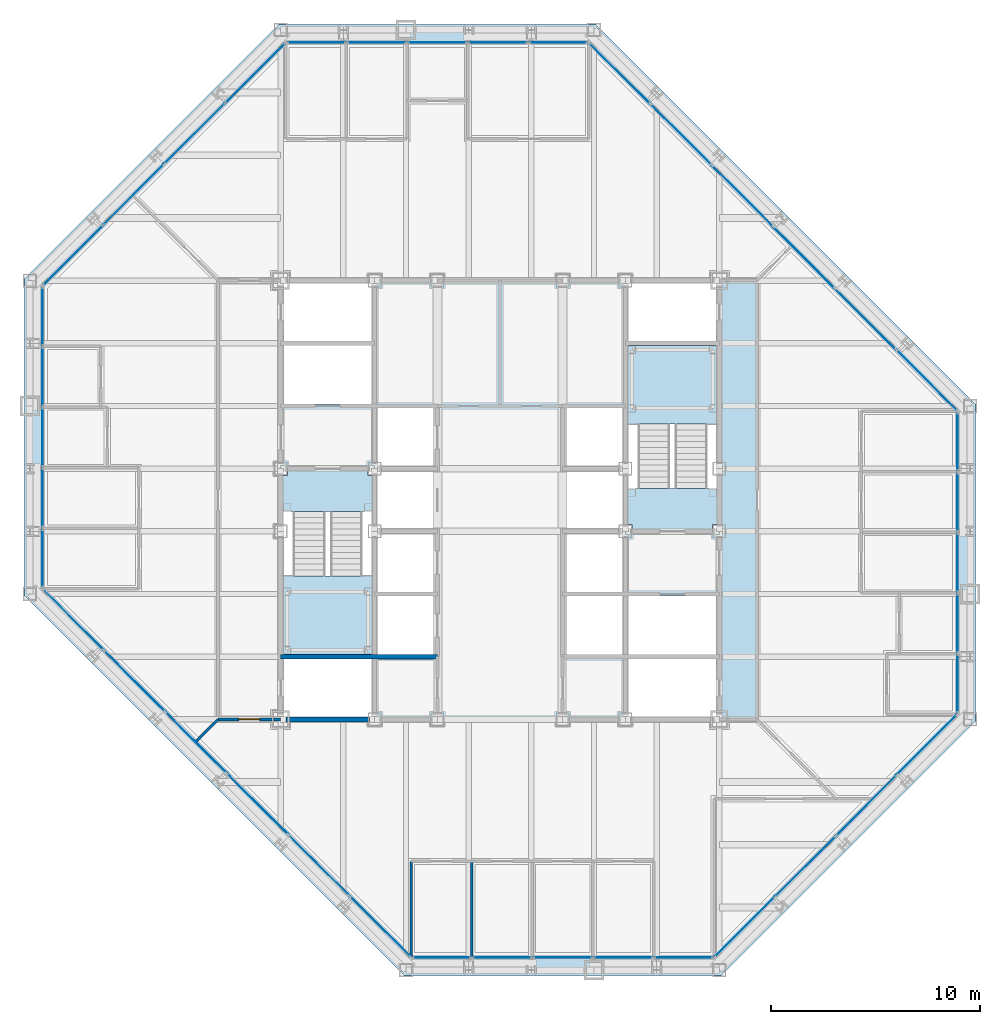
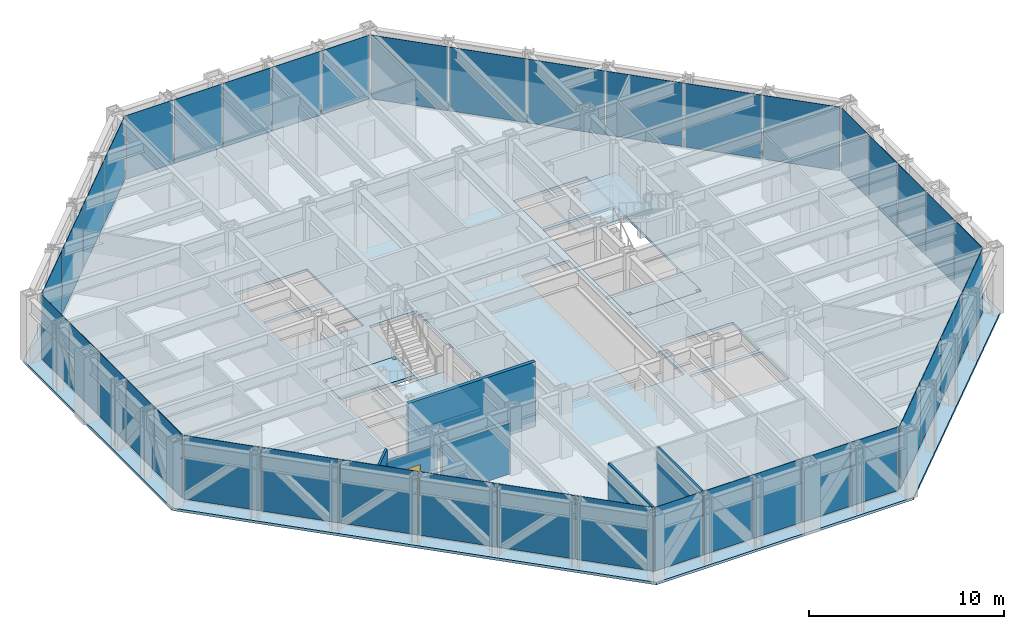
# One storey, part 9 of 15: 40 plates, 6 walls, 5 slabs, 1 door, 1 opening, 10 elements without a shape of their own.
"""IFC4 building model written with IfcOpenShell, lengths in metres."""

import ifcopenshell
import ifcopenshell.guid

model = None  # the IFC model being written
_history = None  # IfcOwnerHistory: only IFC2X3 demands one
_inside = {}  # id of a spatial element -> (the spatial element, [elements in it])
_under = {}  # id of a project, library or spatial element -> (it, [spatial elements below it])
_declared = {}  # id of a project -> (the project, [libraries it declares])
_typed = {}  # id of a type object -> (the type object, [elements of that type])
_made_of = {}  # id of a material, layer set ... -> (it, [elements and type objects made of it])


def new_model(schema):
    """Start an empty IFC model of exactly this schema.

    Asked for "IFC4X3", IfcOpenShell would pick the latest addendum, in which some entities
    have other attributes; the version numbers below select the first issue.
    IFC2X3 requires an IfcOwnerHistory on every rooted entity: one is made here for all.
    """
    global model, _history
    if schema == "IFC4X3":
        model = ifcopenshell.file(schema_version=(4, 3, 0, 0))
    else:
        model = ifcopenshell.file(schema=schema)
    _inside.clear()
    _under.clear()
    _declared.clear()
    _typed.clear()
    _made_of.clear()
    _history = None
    if model.schema == "IFC2X3":
        org = make("IfcOrganization", Name="unknown")
        user = make(
            "IfcPersonAndOrganization",
            ThePerson=make("IfcPerson", FamilyName="unknown"),
            TheOrganization=org,
        )
        app = make(
            "IfcApplication",
            ApplicationDeveloper=org,
            Version="unknown",
            ApplicationFullName="unknown",
            ApplicationIdentifier="unknown",
        )
        _history = make(
            "IfcOwnerHistory",
            OwningUser=user,
            OwningApplication=app,
            ChangeAction="ADDED",
            CreationDate=0,
        )
    return model


def make(cls, **values):
    """One entity of the class cls with the attributes given. An attribute that is None is left unset."""
    return model.create_entity(
        cls, **{name: value for name, value in values.items() if value is not None}
    )


def rooted(cls, **values):
    """An entity with a GlobalId (a new one), such as an element, a storey or a relation."""
    return make(cls, GlobalId=ifcopenshell.guid.new(), OwnerHistory=_history, **values)


def si_unit(unit_type, name, prefix=None):
    """IfcSIUnit, for example si_unit("LENGTHUNIT", "METRE", prefix="MILLI")."""
    return make("IfcSIUnit", UnitType=unit_type, Prefix=prefix, Name=name)


def assignment(units):
    """IfcUnitAssignment: the units of a project."""
    return None if units is None else make("IfcUnitAssignment", Units=units)


def point(xyz):
    """IfcCartesianPoint."""
    return None if xyz is None else make("IfcCartesianPoint", Coordinates=xyz)


def direction(xyz):
    """IfcDirection."""
    return None if xyz is None else make("IfcDirection", DirectionRatios=xyz)


def frame(location, z_axis=None, x_axis=None):
    """IfcAxis2Placement3D, a coordinate frame: its origin and axes. An axis left out is left unset."""
    return make(
        "IfcAxis2Placement3D",
        Location=point(location),
        Axis=direction(z_axis),
        RefDirection=direction(x_axis),
    )


def frame_2d(location, x_axis=None):
    """IfcAxis2Placement2D, a coordinate frame in the plane: its origin and x axis."""
    return make(
        "IfcAxis2Placement2D", Location=point(location), RefDirection=direction(x_axis)
    )


def origin():
    """The frame at (0, 0, 0) with its axes left unset."""
    return frame((0.0, 0.0, 0.0))


def origin_2d():
    """The frame at (0, 0) in the plane with its x axis left unset."""
    return frame_2d((0.0, 0.0))


def place(relative_to, where):
    """IfcLocalPlacement: puts the frame where relative to a parent placement (None: the world)."""
    return make(
        "IfcLocalPlacement", PlacementRelTo=relative_to, RelativePlacement=where
    )


def context(
    kind, dimensions, precision=None, world=None, true_north=None, identifier=None
):
    """IfcGeometricRepresentationContext, for example the 3D "Model" context."""
    return make(
        "IfcGeometricRepresentationContext",
        ContextIdentifier=identifier,
        ContextType=kind,
        CoordinateSpaceDimension=dimensions,
        Precision=precision,
        WorldCoordinateSystem=world,
        TrueNorth=true_north,
    )


def subcontext(parent, identifier, kind, view, scale=None):
    """IfcGeometricRepresentationSubContext, for example "Body" below "Model"."""
    return make(
        "IfcGeometricRepresentationSubContext",
        ContextIdentifier=identifier,
        ContextType=kind,
        ParentContext=parent,
        TargetScale=scale,
        TargetView=view,
    )


def project(units=None, contexts=None):
    """IfcProject with its units and contexts."""
    return rooted(
        "IfcProject",
        Name="project",
        RepresentationContexts=contexts,
        UnitsInContext=assignment(units),
    )


def spatial(cls, under=None, at=None, **own):
    """A site, building, storey or space (cls), placed at a placement, below another one or the project."""
    s = rooted(cls, ObjectPlacement=at, **own)
    if under is not None:
        _under.setdefault(under.id(), (under, []))[1].append(s)
    return s


def polyline(points):
    """IfcPolyline through the points."""
    return make("IfcPolyline", Points=[point(p) for p in points])


def profile(cls, at=None, kind="AREA", **sizes):
    """A parametric profile (cls). Its sizes go by their IFC names, for example OverallWidth=200.0."""
    return make(cls, ProfileType=kind, Position=at, **sizes)


def rectangle(**sizes):
    """IfcRectangleProfileDef."""
    return profile("IfcRectangleProfileDef", **sizes)


def outline(outer, holes=None, kind="AREA"):
    """IfcArbitraryClosedProfileDef: a profile drawn as a closed curve; with holes, ...WithVoids."""
    if holes is None:
        return make("IfcArbitraryClosedProfileDef", ProfileType=kind, OuterCurve=outer)
    return make(
        "IfcArbitraryProfileDefWithVoids",
        ProfileType=kind,
        OuterCurve=outer,
        InnerCurves=holes,
    )


def extrude(swept, where, along, depth):
    """IfcExtrudedAreaSolid: the profile swept, set in the frame where, extruded along a direction by depth."""
    return make(
        "IfcExtrudedAreaSolid",
        SweptArea=swept,
        Position=where,
        ExtrudedDirection=direction(along),
        Depth=depth,
    )


def shape(context_of_items, identifier, shape_type, items):
    """IfcShapeRepresentation: the items that make up one representation, for example the "Body"."""
    return make(
        "IfcShapeRepresentation",
        ContextOfItems=context_of_items,
        RepresentationIdentifier=identifier,
        RepresentationType=shape_type,
        Items=items,
    )


def material(Name=None, Category=None):
    """IfcMaterial."""
    return make("IfcMaterial", Name=Name, Category=Category)


def layer(
    of_material, thickness, ventilated=None, Name=None, Category=None, Priority=None
):
    """IfcMaterialLayer: one layer of a wall or slab, of a material (None: an air gap)."""
    return make(
        "IfcMaterialLayer",
        Material=of_material,
        LayerThickness=thickness,
        IsVentilated=ventilated,
        Name=Name,
        Category=Category,
        Priority=Priority,
    )


def layer_set(layers, Name=None):
    """IfcMaterialLayerSet."""
    return make("IfcMaterialLayerSet", MaterialLayers=layers, LayerSetName=Name)


def made_of(thing, what):
    """Note that an element or type object is made of a material, layer set ...; save() writes the relation."""
    if what is not None:
        _made_of.setdefault(what.id(), (what, []))[1].append(thing)
    return thing


def type_object(cls, material=None, **own):
    """A type object (cls), such as IfcWallType, which elements share."""
    return made_of(rooted(cls, **own), material)


def element(
    cls,
    number,
    at=None,
    inside=None,
    cuts=None,
    type_object=None,
    material=None,
    context=None,
    identifier="Body",
    shape_type=None,
    held_by="IfcProductDefinitionShape",
    body=None,
    shapes=None,
    **own,
):
    """One element of the class cls, such as IfcWall. Its Tag is "e" and its number.

    at: its placement. inside: the storey or other place that contains it. cuts: it is an
    opening in that element (IfcRelVoidsElement). A single representation is given by context,
    identifier, shape_type and body (its items); several are given by shapes. held_by: the class
    of the entity that holds the representations. save() writes the other relations.
    """
    e = rooted(cls, Tag="e%d" % number, ObjectPlacement=at, **own)
    if body is not None:
        shapes = [shape(context, identifier, shape_type, body)]
    if shapes is not None:
        e.Representation = make(held_by, Representations=shapes)
    if inside is not None:
        _inside.setdefault(inside.id(), (inside, []))[1].append(e)
    if cuts is not None:
        rooted(
            "IfcRelVoidsElement", RelatingBuildingElement=cuts, RelatedOpeningElement=e
        )
    if type_object is not None:
        _typed.setdefault(type_object.id(), (type_object, []))[1].append(e)
    return made_of(e, material)


def fill(opening, filler):
    """IfcRelFillsElement: the door or window that sits in an opening."""
    return rooted(
        "IfcRelFillsElement",
        RelatingOpeningElement=opening,
        RelatedBuildingElement=filler,
    )


def aggregate(whole, parts):
    """IfcRelAggregates: a whole, such as a stair, and the parts it consists of."""
    return rooted("IfcRelAggregates", RelatingObject=whole, RelatedObjects=parts)


def save(model, path):
    """Write the relations noted so far, then the file.

    IfcRelAggregates (storeys below a building ...), IfcRelContainedInSpatialStructure (elements
    in a storey), IfcRelDefinesByType, IfcRelAssociatesMaterial and IfcRelDeclares: one each for
    every whole, place, type object, material and project.
    """
    for whole, parts in _under.values():
        aggregate(whole, parts)
    for where, things in _inside.values():
        rooted(
            "IfcRelContainedInSpatialStructure",
            RelatedElements=things,
            RelatingStructure=where,
        )
    for kind, things in _typed.values():
        rooted("IfcRelDefinesByType", RelatedObjects=things, RelatingType=kind)
    for what, things in _made_of.values():
        rooted("IfcRelAssociatesMaterial", RelatedObjects=things, RelatingMaterial=what)
    for by, libraries in _declared.values():
        rooted("IfcRelDeclares", RelatingContext=by, RelatedDefinitions=libraries)
    model.write(path)


model = new_model("IFC4")

# Units and contexts
model_context = context("Model", 3, precision=1e-05, world=origin(), true_north=direction((0.0, 1.0)))
body_context = subcontext(model_context, "Body", "Model", "MODEL_VIEW")
ifc_project = project(units=[si_unit("LENGTHUNIT", "METRE"), si_unit("AREAUNIT", "SQUARE_METRE"), si_unit("VOLUMEUNIT", "CUBIC_METRE"), si_unit("PLANEANGLEUNIT", "RADIAN"), si_unit("MASSUNIT", "GRAM", prefix="KILO")], contexts=[model_context])

# Site, building, storey
site_placement = place(None, origin())
site = spatial("IfcSite", under=ifc_project, at=site_placement, CompositionType="ELEMENT")
building_placement = place(site_placement, origin())
building = spatial("IfcBuilding", under=site, at=building_placement, Name="Chuquiago Exchange Tower", CompositionType="ELEMENT")
storey_placement = place(building_placement, frame((0.0, 0.0, 188.699951171875)))
storey = spatial("IfcBuildingStorey", under=building, at=storey_placement, Name="L41", CompositionType="ELEMENT", Elevation=188.699951171875)

# Curtain wall, plate
ifc_material_1 = material(Name="Aluminium curtain wall system", Category="aluminium")
ifc_layer_1 = layer(ifc_material_1, 0.22509765625)
ifc_layer_set_1 = layer_set([ifc_layer_1], Name="CW2 office curtain wall")
curtain_wall_type_1 = type_object("IfcCurtainWallType", Name="CW2 office curtain wall", PredefinedType="NOTDEFINED", material=ifc_layer_set_1)
curtain_wall_1_placement = place(storey_placement, origin())
curtain_wall_1 = element("IfcCurtainWall", 1, at=curtain_wall_1_placement, inside=storey, type_object=curtain_wall_type_1, Name="CW2 curtain wall L41", PredefinedType="NOTDEFINED")
ifc_material_2 = material(Name="Glass, insulating unit", Category="glass")
ifc_layer_2 = layer(ifc_material_2, 0.030029296875)
ifc_layer_set_2 = layer_set([ifc_layer_2], Name="CW2-P panel 30")
plate_type_1 = type_object("IfcPlateType", Name="CW2-P panel 30", PredefinedType="CURTAIN_PANEL", material=ifc_layer_set_2)
plate_1_placement = place(storey_placement, frame((25.5, 0.60009765625, 0.06494140625), z_axis=(0.0, 0.0, 1.0), x_axis=(1.0, 0.0, 0.0)))
plate_1 = element("IfcPlate", 2, at=plate_1_placement, type_object=plate_type_1, Name="CW2 panel 3.1", PredefinedType="CURTAIN_PANEL", context=body_context, shape_type="SweptSolid", body=[
    extrude(rectangle(XDim=2.835693359375, YDim=0.030029296875, at=origin_2d()), origin(), (0.0, 0.0, 1.0), 3.97509765625),
])

curtain_wall_2_placement = place(storey_placement, origin())
curtain_wall_2 = element("IfcCurtainWall", 3, at=curtain_wall_2_placement, inside=storey, type_object=curtain_wall_type_1, Name="CW2 curtain wall L41", PredefinedType="NOTDEFINED")
plate_2_placement = place(storey_placement, frame((44.39990234375, 19.5, 0.06494140625), z_axis=(0.0, 0.0, 1.0), x_axis=(0.0, 1.0, 0.0)))
plate_2 = element("IfcPlate", 4, at=plate_2_placement, type_object=plate_type_1, Name="CW2 panel 3.1", PredefinedType="CURTAIN_PANEL", context=body_context, shape_type="SweptSolid", body=[
    extrude(rectangle(XDim=2.835693359375, YDim=0.030029296875, at=origin_2d()), origin(), (0.0, 0.0, 1.0), 3.97509765625),
])

curtain_wall_3_placement = place(storey_placement, origin())
curtain_wall_3 = element("IfcCurtainWall", 5, at=curtain_wall_3_placement, inside=storey, type_object=curtain_wall_type_1, Name="CW2 curtain wall L41", PredefinedType="NOTDEFINED")
plate_3_placement = place(storey_placement, frame((19.5, 44.39990234375, 0.06494140625), z_axis=(0.0, 0.0, 1.0), x_axis=(-1.0, 0.0, 0.0)))
plate_3 = element("IfcPlate", 6, at=plate_3_placement, type_object=plate_type_1, Name="CW2 panel 3.1", PredefinedType="CURTAIN_PANEL", context=body_context, shape_type="SweptSolid", body=[
    extrude(rectangle(XDim=2.835693359375, YDim=0.030029296875, at=origin_2d()), origin(), (0.0, 0.0, 1.0), 3.97509765625),
])

curtain_wall_4_placement = place(storey_placement, origin())
curtain_wall_4 = element("IfcCurtainWall", 7, at=curtain_wall_4_placement, inside=storey, type_object=curtain_wall_type_1, Name="CW2 curtain wall L41", PredefinedType="NOTDEFINED")
plate_4_placement = place(storey_placement, frame((0.60009765625, 25.5, 0.06494140625), z_axis=(0.0, 0.0, 1.0), x_axis=(0.0, -1.0, 0.0)))
plate_4 = element("IfcPlate", 8, at=plate_4_placement, type_object=plate_type_1, Name="CW2 panel 3.1", PredefinedType="CURTAIN_PANEL", context=body_context, shape_type="SweptSolid", body=[
    extrude(rectangle(XDim=2.835693359375, YDim=0.030029296875, at=origin_2d()), origin(), (0.0, 0.0, 1.0), 3.97509765625),
])

# Plate
ifc_material_3 = material(Name="Insulated spandrel panel, pale anodised aluminium", Category="aluminium")
ifc_layer_3 = layer(ifc_material_3, 0.030029296875)
ifc_layer_set_3 = layer_set([ifc_layer_3], Name="CW2-P spandrel panel 30")
plate_type_2 = type_object("IfcPlateType", Name="CW2-P spandrel panel 30", PredefinedType="CURTAIN_PANEL", material=ifc_layer_set_3)
plate_5_placement = place(storey_placement, frame((19.715087890625, 0.60009765625, 0.06494140625), z_axis=(0.0, 0.0, 1.0), x_axis=(1.0, 0.0, 0.0)))
plate_5 = element("IfcPlate", 9, at=plate_5_placement, type_object=plate_type_2, Name="CW2 panel 1.1", PredefinedType="CURTAIN_PANEL", context=body_context, shape_type="SweptSolid", body=[
    extrude(rectangle(XDim=2.802978515625, YDim=0.030029296875, at=origin_2d()), origin(), (0.0, 0.0, 1.0), 3.97509765625),
])

plate_6_placement = place(storey_placement, frame((22.599365234375, 0.60009765625, 0.06494140625), z_axis=(0.0, 0.0, 1.0), x_axis=(1.0, 0.0, 0.0)))
plate_6 = element("IfcPlate", 10, at=plate_6_placement, type_object=plate_type_2, Name="CW2 panel 2.1", PredefinedType="CURTAIN_PANEL", context=body_context, shape_type="SweptSolid", body=[
    extrude(rectangle(XDim=2.835693359375, YDim=0.030029296875, at=origin_2d()), origin(), (0.0, 0.0, 1.0), 3.97509765625),
])

plate_7_placement = place(storey_placement, frame((28.400634765625, 0.60009765625, 0.06494140625), z_axis=(0.0, 0.0, 1.0), x_axis=(1.0, 0.0, 0.0)))
plate_7 = element("IfcPlate", 11, at=plate_7_placement, type_object=plate_type_2, Name="CW2 panel 4.1", PredefinedType="CURTAIN_PANEL", context=body_context, shape_type="SweptSolid", body=[
    extrude(rectangle(XDim=2.835693359375, YDim=0.030029296875, at=origin_2d()), origin(), (0.0, 0.0, 1.0), 3.97509765625),
])

plate_8_placement = place(storey_placement, frame((31.284912109375, 0.60009765625, 0.06494140625), z_axis=(0.0, 0.0, 1.0), x_axis=(1.0, 0.0, 0.0)))
plate_8 = element("IfcPlate", 12, at=plate_8_placement, type_object=plate_type_2, Name="CW2 panel 5.1", PredefinedType="CURTAIN_PANEL", context=body_context, shape_type="SweptSolid", body=[
    extrude(rectangle(XDim=2.802978515625, YDim=0.030029296875, at=origin_2d()), origin(), (0.0, 0.0, 1.0), 3.97509765625),
])

aggregate(curtain_wall_1, [plate_5, plate_6, plate_1, plate_7, plate_8])

plate_9_placement = place(storey_placement, frame((44.39990234375, 13.715087890625, 0.06494140625), z_axis=(0.0, 0.0, 1.0), x_axis=(0.0, 1.0, 0.0)))
plate_9 = element("IfcPlate", 13, at=plate_9_placement, type_object=plate_type_2, Name="CW2 panel 1.1", PredefinedType="CURTAIN_PANEL", context=body_context, shape_type="SweptSolid", body=[
    extrude(rectangle(XDim=2.802978515625, YDim=0.030029296875, at=origin_2d()), origin(), (0.0, 0.0, 1.0), 3.97509765625),
])

plate_10_placement = place(storey_placement, frame((44.39990234375, 16.599365234375, 0.06494140625), z_axis=(0.0, 0.0, 1.0), x_axis=(0.0, 1.0, 0.0)))
plate_10 = element("IfcPlate", 14, at=plate_10_placement, type_object=plate_type_2, Name="CW2 panel 2.1", PredefinedType="CURTAIN_PANEL", context=body_context, shape_type="SweptSolid", body=[
    extrude(rectangle(XDim=2.835693359375, YDim=0.030029296875, at=origin_2d()), origin(), (0.0, 0.0, 1.0), 3.97509765625),
])

plate_11_placement = place(storey_placement, frame((44.39990234375, 22.400634765625, 0.06494140625), z_axis=(0.0, 0.0, 1.0), x_axis=(0.0, 1.0, 0.0)))
plate_11 = element("IfcPlate", 15, at=plate_11_placement, type_object=plate_type_2, Name="CW2 panel 4.1", PredefinedType="CURTAIN_PANEL", context=body_context, shape_type="SweptSolid", body=[
    extrude(rectangle(XDim=2.835693359375, YDim=0.030029296875, at=origin_2d()), origin(), (0.0, 0.0, 1.0), 3.97509765625),
])

plate_12_placement = place(storey_placement, frame((44.39990234375, 25.284912109375, 0.06494140625), z_axis=(0.0, 0.0, 1.0), x_axis=(0.0, 1.0, 0.0)))
plate_12 = element("IfcPlate", 16, at=plate_12_placement, type_object=plate_type_2, Name="CW2 panel 5.1", PredefinedType="CURTAIN_PANEL", context=body_context, shape_type="SweptSolid", body=[
    extrude(rectangle(XDim=2.802978515625, YDim=0.030029296875, at=origin_2d()), origin(), (0.0, 0.0, 1.0), 3.97509765625),
])

aggregate(curtain_wall_2, [plate_9, plate_10, plate_2, plate_11, plate_12])

plate_13_placement = place(storey_placement, frame((25.284912109375, 44.39990234375, 0.06494140625), z_axis=(0.0, 0.0, 1.0), x_axis=(-1.0, 0.0, 0.0)))
plate_13 = element("IfcPlate", 17, at=plate_13_placement, type_object=plate_type_2, Name="CW2 panel 1.1", PredefinedType="CURTAIN_PANEL", context=body_context, shape_type="SweptSolid", body=[
    extrude(rectangle(XDim=2.802978515625, YDim=0.030029296875, at=origin_2d()), origin(), (0.0, 0.0, 1.0), 3.97509765625),
])

plate_14_placement = place(storey_placement, frame((22.400634765625, 44.39990234375, 0.06494140625), z_axis=(0.0, 0.0, 1.0), x_axis=(-1.0, 0.0, 0.0)))
plate_14 = element("IfcPlate", 18, at=plate_14_placement, type_object=plate_type_2, Name="CW2 panel 2.1", PredefinedType="CURTAIN_PANEL", context=body_context, shape_type="SweptSolid", body=[
    extrude(rectangle(XDim=2.835693359375, YDim=0.030029296875, at=origin_2d()), origin(), (0.0, 0.0, 1.0), 3.97509765625),
])

plate_15_placement = place(storey_placement, frame((16.599365234375, 44.39990234375, 0.06494140625), z_axis=(0.0, 0.0, 1.0), x_axis=(-1.0, 0.0, 0.0)))
plate_15 = element("IfcPlate", 19, at=plate_15_placement, type_object=plate_type_2, Name="CW2 panel 4.1", PredefinedType="CURTAIN_PANEL", context=body_context, shape_type="SweptSolid", body=[
    extrude(rectangle(XDim=2.835693359375, YDim=0.030029296875, at=origin_2d()), origin(), (0.0, 0.0, 1.0), 3.97509765625),
])

plate_16_placement = place(storey_placement, frame((13.715087890625, 44.39990234375, 0.06494140625), z_axis=(0.0, 0.0, 1.0), x_axis=(-1.0, 0.0, 0.0)))
plate_16 = element("IfcPlate", 20, at=plate_16_placement, type_object=plate_type_2, Name="CW2 panel 5.1", PredefinedType="CURTAIN_PANEL", context=body_context, shape_type="SweptSolid", body=[
    extrude(rectangle(XDim=2.802978515625, YDim=0.030029296875, at=origin_2d()), origin(), (0.0, 0.0, 1.0), 3.97509765625),
])

aggregate(curtain_wall_3, [plate_13, plate_14, plate_3, plate_15, plate_16])

plate_17_placement = place(storey_placement, frame((0.60009765625, 31.284912109375, 0.06494140625), z_axis=(0.0, 0.0, 1.0), x_axis=(0.0, -1.0, 0.0)))
plate_17 = element("IfcPlate", 21, at=plate_17_placement, type_object=plate_type_2, Name="CW2 panel 1.1", PredefinedType="CURTAIN_PANEL", context=body_context, shape_type="SweptSolid", body=[
    extrude(rectangle(XDim=2.802978515625, YDim=0.030029296875, at=origin_2d()), origin(), (0.0, 0.0, 1.0), 3.97509765625),
])

plate_18_placement = place(storey_placement, frame((0.60009765625, 28.400634765625, 0.06494140625), z_axis=(0.0, 0.0, 1.0), x_axis=(0.0, -1.0, 0.0)))
plate_18 = element("IfcPlate", 22, at=plate_18_placement, type_object=plate_type_2, Name="CW2 panel 2.1", PredefinedType="CURTAIN_PANEL", context=body_context, shape_type="SweptSolid", body=[
    extrude(rectangle(XDim=2.835693359375, YDim=0.030029296875, at=origin_2d()), origin(), (0.0, 0.0, 1.0), 3.97509765625),
])

plate_19_placement = place(storey_placement, frame((0.60009765625, 22.599365234375, 0.06494140625), z_axis=(0.0, 0.0, 1.0), x_axis=(0.0, -1.0, 0.0)))
plate_19 = element("IfcPlate", 23, at=plate_19_placement, type_object=plate_type_2, Name="CW2 panel 4.1", PredefinedType="CURTAIN_PANEL", context=body_context, shape_type="SweptSolid", body=[
    extrude(rectangle(XDim=2.835693359375, YDim=0.030029296875, at=origin_2d()), origin(), (0.0, 0.0, 1.0), 3.97509765625),
])

plate_20_placement = place(storey_placement, frame((0.60009765625, 19.715087890625, 0.06494140625), z_axis=(0.0, 0.0, 1.0), x_axis=(0.0, -1.0, 0.0)))
plate_20 = element("IfcPlate", 24, at=plate_20_placement, type_object=plate_type_2, Name="CW2 panel 5.1", PredefinedType="CURTAIN_PANEL", context=body_context, shape_type="SweptSolid", body=[
    extrude(rectangle(XDim=2.802978515625, YDim=0.030029296875, at=origin_2d()), origin(), (0.0, 0.0, 1.0), 3.97509765625),
])

aggregate(curtain_wall_4, [plate_17, plate_18, plate_4, plate_19, plate_20])

# Curtain wall, plates
ifc_material_4 = material(Name="Aluminium curtain wall system", Category="aluminium")
ifc_layer_4 = layer(ifc_material_4, 0.199951171875)
ifc_layer_set_4 = layer_set([ifc_layer_4], Name="CW3 facet curtain wall")
curtain_wall_type_2 = type_object("IfcCurtainWallType", Name="CW3 facet curtain wall", PredefinedType="NOTDEFINED", material=ifc_layer_set_4)
curtain_wall_5_placement = place(storey_placement, origin())
curtain_wall_5 = element("IfcCurtainWall", 25, at=curtain_wall_5_placement, inside=storey, type_object=curtain_wall_type_2, Name="CW3 curtain wall L41", PredefinedType="NOTDEFINED")
ifc_material_5 = material(Name="Insulated spandrel panel, pale anodised aluminium", Category="aluminium")
ifc_layer_5 = layer(ifc_material_5, 0.030029296875)
ifc_layer_set_5 = layer_set([ifc_layer_5], Name="CW3-P spandrel panel 30")
plate_type_3 = type_object("IfcPlateType", Name="CW3-P spandrel panel 30", PredefinedType="CURTAIN_PANEL", material=ifc_layer_set_5)
plate_21_placement = place(storey_placement, frame((34.218994140625, 2.067626953125, 0.06494140625), z_axis=(0.0, 0.0, 1.0), x_axis=(0.707106781187, 0.707106781187, 0.0)))
plate_21 = element("IfcPlate", 26, at=plate_21_placement, type_object=plate_type_3, Name="CW3 panel 1.1", PredefinedType="CURTAIN_PANEL", context=body_context, shape_type="SweptSolid", body=[
    extrude(rectangle(XDim=4.020751953125, YDim=0.030029296875, at=origin_2d()), origin(), (0.0, 0.0, 1.0), 3.97509765625),
])
plate_22_placement = place(storey_placement, frame((37.11962890625, 4.96826171875, 0.06494140625), z_axis=(0.0, 0.0, 1.0), x_axis=(0.707106781187, 0.707106781187, 0.0)))
plate_22 = element("IfcPlate", 27, at=plate_22_placement, type_object=plate_type_3, Name="CW3 panel 2.1", PredefinedType="CURTAIN_PANEL", context=body_context, shape_type="SweptSolid", body=[
    extrude(rectangle(XDim=4.053466796875, YDim=0.030029296875, at=origin_2d()), origin(), (0.0, 0.0, 1.0), 3.97509765625),
])
plate_23_placement = place(storey_placement, frame((40.03173828125, 7.88037109375, 0.06494140625), z_axis=(0.0, 0.0, 1.0), x_axis=(0.707106781187, 0.707106781187, 0.0)))
plate_23 = element("IfcPlate", 28, at=plate_23_placement, type_object=plate_type_3, Name="CW3 panel 3.1", PredefinedType="CURTAIN_PANEL", context=body_context, shape_type="SweptSolid", body=[
    extrude(rectangle(XDim=4.053466796875, YDim=0.030029296875, at=origin_2d()), origin(), (0.0, 0.0, 1.0), 3.97509765625),
])
plate_24_placement = place(storey_placement, frame((42.932373046875, 10.781005859375, 0.06494140625), z_axis=(0.0, 0.0, 1.0), x_axis=(0.707106781187, 0.707106781187, 0.0)))
plate_24 = element("IfcPlate", 29, at=plate_24_placement, type_object=plate_type_3, Name="CW3 panel 4.1", PredefinedType="CURTAIN_PANEL", context=body_context, shape_type="SweptSolid", body=[
    extrude(rectangle(XDim=4.020751953125, YDim=0.030029296875, at=origin_2d()), origin(), (0.0, 0.0, 1.0), 3.97509765625),
])
aggregate(curtain_wall_5, [plate_21, plate_22, plate_23, plate_24])

curtain_wall_6_placement = place(storey_placement, origin())
curtain_wall_6 = element("IfcCurtainWall", 30, at=curtain_wall_6_placement, inside=storey, type_object=curtain_wall_type_2, Name="CW3 curtain wall L41", PredefinedType="NOTDEFINED")
plate_25_placement = place(storey_placement, frame((42.917724609375, 28.233642578125, 0.06494140625), z_axis=(0.0, 0.0, 1.0), x_axis=(-0.707106781187, 0.707106781187, 0.0)))
plate_25 = element("IfcPlate", 31, at=plate_25_placement, type_object=plate_type_3, Name="CW3 panel 1.1", PredefinedType="CURTAIN_PANEL", context=body_context, shape_type="SweptSolid", body=[
    extrude(rectangle(XDim=4.062255859375, YDim=0.030029296875, at=origin_2d()), origin(), (0.0, 0.0, 1.0), 3.97509765625),
])
plate_26_placement = place(storey_placement, frame((39.98779296875, 31.16357421875, 0.06494140625), z_axis=(0.0, 0.0, 1.0), x_axis=(-0.707106781187, 0.707106781187, 0.0)))
plate_26 = element("IfcPlate", 32, at=plate_26_placement, type_object=plate_type_3, Name="CW3 panel 2.1", PredefinedType="CURTAIN_PANEL", context=body_context, shape_type="SweptSolid", body=[
    extrude(rectangle(XDim=4.0947265625, YDim=0.030029296875, at=origin_2d()), origin(), (0.0, 0.0, 1.0), 3.97509765625),
])
plate_27_placement = place(storey_placement, frame((37.04638671875, 34.10498046875, 0.06494140625), z_axis=(0.0, 0.0, 1.0), x_axis=(-0.707106781187, 0.707106781187, 0.0)))
plate_27 = element("IfcPlate", 33, at=plate_27_placement, type_object=plate_type_3, Name="CW3 panel 3.1", PredefinedType="CURTAIN_PANEL", context=body_context, shape_type="SweptSolid", body=[
    extrude(rectangle(XDim=4.0947265625, YDim=0.030029296875, at=origin_2d()), origin(), (0.0, 0.0, 1.0), 3.97509765625),
])
plate_28_placement = place(storey_placement, frame((34.10498046875, 37.04638671875, 0.06494140625), z_axis=(0.0, 0.0, 1.0), x_axis=(-0.707106781187, 0.707106781187, 0.0)))
plate_28 = element("IfcPlate", 34, at=plate_28_placement, type_object=plate_type_3, Name="CW3 panel 4.1", PredefinedType="CURTAIN_PANEL", context=body_context, shape_type="SweptSolid", body=[
    extrude(rectangle(XDim=4.0947265625, YDim=0.030029296875, at=origin_2d()), origin(), (0.0, 0.0, 1.0), 3.97509765625),
])
plate_29_placement = place(storey_placement, frame((31.16357421875, 39.98779296875, 0.06494140625), z_axis=(0.0, 0.0, 1.0), x_axis=(-0.707106781187, 0.707106781187, 0.0)))
plate_29 = element("IfcPlate", 35, at=plate_29_placement, type_object=plate_type_3, Name="CW3 panel 5.1", PredefinedType="CURTAIN_PANEL", context=body_context, shape_type="SweptSolid", body=[
    extrude(rectangle(XDim=4.0947265625, YDim=0.030029296875, at=origin_2d()), origin(), (0.0, 0.0, 1.0), 3.97509765625),
])
plate_30_placement = place(storey_placement, frame((28.233642578125, 42.917724609375, 0.06494140625), z_axis=(0.0, 0.0, 1.0), x_axis=(-0.707106781187, 0.707106781187, 0.0)))
plate_30 = element("IfcPlate", 36, at=plate_30_placement, type_object=plate_type_3, Name="CW3 panel 6.1", PredefinedType="CURTAIN_PANEL", context=body_context, shape_type="SweptSolid", body=[
    extrude(rectangle(XDim=4.062255859375, YDim=0.030029296875, at=origin_2d()), origin(), (0.0, 0.0, 1.0), 3.97509765625),
])
aggregate(curtain_wall_6, [plate_25, plate_26, plate_27, plate_28, plate_29, plate_30])

curtain_wall_7_placement = place(storey_placement, origin())
curtain_wall_7 = element("IfcCurtainWall", 37, at=curtain_wall_7_placement, inside=storey, type_object=curtain_wall_type_2, Name="CW3 curtain wall L41", PredefinedType="NOTDEFINED")
plate_31_placement = place(storey_placement, frame((10.781005859375, 42.932373046875, 0.06494140625), z_axis=(0.0, 0.0, 1.0), x_axis=(-0.707106781187, -0.707106781187, 0.0)))
plate_31 = element("IfcPlate", 38, at=plate_31_placement, type_object=plate_type_3, Name="CW3 panel 1.1", PredefinedType="CURTAIN_PANEL", context=body_context, shape_type="SweptSolid", body=[
    extrude(rectangle(XDim=4.020751953125, YDim=0.030029296875, at=origin_2d()), origin(), (0.0, 0.0, 1.0), 3.97509765625),
])
plate_32_placement = place(storey_placement, frame((7.88037109375, 40.03173828125, 0.06494140625), z_axis=(0.0, 0.0, 1.0), x_axis=(-0.707106781187, -0.707106781187, 0.0)))
plate_32 = element("IfcPlate", 39, at=plate_32_placement, type_object=plate_type_3, Name="CW3 panel 2.1", PredefinedType="CURTAIN_PANEL", context=body_context, shape_type="SweptSolid", body=[
    extrude(rectangle(XDim=4.053466796875, YDim=0.030029296875, at=origin_2d()), origin(), (0.0, 0.0, 1.0), 3.97509765625),
])
plate_33_placement = place(storey_placement, frame((4.96826171875, 37.11962890625, 0.06494140625), z_axis=(0.0, 0.0, 1.0), x_axis=(-0.707106781187, -0.707106781187, 0.0)))
plate_33 = element("IfcPlate", 40, at=plate_33_placement, type_object=plate_type_3, Name="CW3 panel 3.1", PredefinedType="CURTAIN_PANEL", context=body_context, shape_type="SweptSolid", body=[
    extrude(rectangle(XDim=4.053466796875, YDim=0.030029296875, at=origin_2d()), origin(), (0.0, 0.0, 1.0), 3.97509765625),
])
plate_34_placement = place(storey_placement, frame((2.067626953125, 34.218994140625, 0.06494140625), z_axis=(0.0, 0.0, 1.0), x_axis=(-0.707106781187, -0.707106781187, 0.0)))
plate_34 = element("IfcPlate", 41, at=plate_34_placement, type_object=plate_type_3, Name="CW3 panel 4.1", PredefinedType="CURTAIN_PANEL", context=body_context, shape_type="SweptSolid", body=[
    extrude(rectangle(XDim=4.020751953125, YDim=0.030029296875, at=origin_2d()), origin(), (0.0, 0.0, 1.0), 3.97509765625),
])
aggregate(curtain_wall_7, [plate_31, plate_32, plate_33, plate_34])

curtain_wall_8_placement = place(storey_placement, origin())
curtain_wall_8 = element("IfcCurtainWall", 42, at=curtain_wall_8_placement, inside=storey, type_object=curtain_wall_type_2, Name="CW3 curtain wall L41", PredefinedType="NOTDEFINED")
plate_35_placement = place(storey_placement, frame((2.082275390625, 16.766357421875, 0.06494140625), z_axis=(0.0, 0.0, 1.0), x_axis=(0.707106781187, -0.707106781187, 0.0)))
plate_35 = element("IfcPlate", 43, at=plate_35_placement, type_object=plate_type_3, Name="CW3 panel 1.1", PredefinedType="CURTAIN_PANEL", context=body_context, shape_type="SweptSolid", body=[
    extrude(rectangle(XDim=4.062255859375, YDim=0.030029296875, at=origin_2d()), origin(), (0.0, 0.0, 1.0), 3.97509765625),
])
plate_36_placement = place(storey_placement, frame((5.01220703125, 13.83642578125, 0.06494140625), z_axis=(0.0, 0.0, 1.0), x_axis=(0.707106781187, -0.707106781187, 0.0)))
plate_36 = element("IfcPlate", 44, at=plate_36_placement, type_object=plate_type_3, Name="CW3 panel 2.1", PredefinedType="CURTAIN_PANEL", context=body_context, shape_type="SweptSolid", body=[
    extrude(rectangle(XDim=4.0947265625, YDim=0.030029296875, at=origin_2d()), origin(), (0.0, 0.0, 1.0), 3.97509765625),
])
plate_37_placement = place(storey_placement, frame((7.95361328125, 10.89501953125, 0.06494140625), z_axis=(0.0, 0.0, 1.0), x_axis=(0.707106781187, -0.707106781187, 0.0)))
plate_37 = element("IfcPlate", 45, at=plate_37_placement, type_object=plate_type_3, Name="CW3 panel 3.1", PredefinedType="CURTAIN_PANEL", context=body_context, shape_type="SweptSolid", body=[
    extrude(rectangle(XDim=4.0947265625, YDim=0.030029296875, at=origin_2d()), origin(), (0.0, 0.0, 1.0), 3.97509765625),
])
plate_38_placement = place(storey_placement, frame((10.89501953125, 7.95361328125, 0.06494140625), z_axis=(0.0, 0.0, 1.0), x_axis=(0.707106781187, -0.707106781187, 0.0)))
plate_38 = element("IfcPlate", 46, at=plate_38_placement, type_object=plate_type_3, Name="CW3 panel 4.1", PredefinedType="CURTAIN_PANEL", context=body_context, shape_type="SweptSolid", body=[
    extrude(rectangle(XDim=4.0947265625, YDim=0.030029296875, at=origin_2d()), origin(), (0.0, 0.0, 1.0), 3.97509765625),
])
plate_39_placement = place(storey_placement, frame((13.83642578125, 5.01220703125, 0.06494140625), z_axis=(0.0, 0.0, 1.0), x_axis=(0.707106781187, -0.707106781187, 0.0)))
plate_39 = element("IfcPlate", 47, at=plate_39_placement, type_object=plate_type_3, Name="CW3 panel 5.1", PredefinedType="CURTAIN_PANEL", context=body_context, shape_type="SweptSolid", body=[
    extrude(rectangle(XDim=4.0947265625, YDim=0.030029296875, at=origin_2d()), origin(), (0.0, 0.0, 1.0), 3.97509765625),
])
plate_40_placement = place(storey_placement, frame((16.766357421875, 2.082275390625, 0.06494140625), z_axis=(0.0, 0.0, 1.0), x_axis=(0.707106781187, -0.707106781187, 0.0)))
plate_40 = element("IfcPlate", 48, at=plate_40_placement, type_object=plate_type_3, Name="CW3 panel 6.1", PredefinedType="CURTAIN_PANEL", context=body_context, shape_type="SweptSolid", body=[
    extrude(rectangle(XDim=4.062255859375, YDim=0.030029296875, at=origin_2d()), origin(), (0.0, 0.0, 1.0), 3.97509765625),
])
aggregate(curtain_wall_8, [plate_35, plate_36, plate_37, plate_38, plate_39, plate_40])

# Slab
ifc_material_6 = material(Name="Concrete C30/37", Category="concrete")
ifc_layer_6 = layer(ifc_material_6, 0.159912109375)
ifc_layer_set_6 = layer_set([ifc_layer_6], Name="FS1 composite floor 160")
slab_type_1 = type_object("IfcSlabType", Name="FS1 composite floor 160", PredefinedType="FLOOR", material=ifc_layer_set_6)
slab_1_placement = place(storey_placement, frame((0.0, 0.0, -0.159912109375)))
element("IfcSlab", 49, at=slab_1_placement, inside=storey, type_object=slab_type_1, Name="L41 floor slab", PredefinedType="FLOOR", context=body_context, shape_type="SweptSolid", body=[
    extrude(outline(polyline([(17.896484375, -0.25), (-0.25, 17.896484375), (-0.25, 33.103515625), (11.896484375, 45.25), (27.103515625, 45.25), (45.25, 27.103515625), (45.25, 11.896484375), (33.103515625, -0.25), (17.896484375, -0.25)]), holes=[polyline([(16.39990234375, 15.10009765625), (12.10009765625, 15.10009765625), (12.10009765625, 23.89990234375), (16.39990234375, 23.89990234375), (16.39990234375, 15.10009765625)]), polyline([(32.89990234375, 21.10009765625), (28.60009765625, 21.10009765625), (28.60009765625, 29.89990234375), (32.89990234375, 29.89990234375), (32.89990234375, 21.10009765625)]), polyline([(16.39990234375, 12.10009765625), (12.10009765625, 12.10009765625), (12.10009765625, 14.89990234375), (16.39990234375, 14.89990234375), (16.39990234375, 12.10009765625)]), polyline([(16.39990234375, 30.10009765625), (12.10009765625, 30.10009765625), (12.10009765625, 32.89990234375), (16.39990234375, 32.89990234375), (16.39990234375, 30.10009765625)]), polyline([(32.89990234375, 12.10009765625), (28.60009765625, 12.10009765625), (28.60009765625, 14.89990234375), (32.89990234375, 14.89990234375), (32.89990234375, 12.10009765625)]), polyline([(32.89990234375, 30.10009765625), (28.60009765625, 30.10009765625), (28.60009765625, 32.89990234375), (32.89990234375, 32.89990234375), (32.89990234375, 30.10009765625)]), polyline([(16.39990234375, 27.10009765625), (12.10009765625, 27.10009765625), (12.10009765625, 29.89990234375), (16.39990234375, 29.89990234375), (16.39990234375, 27.10009765625)]), polyline([(32.89990234375, 15.10009765625), (28.60009765625, 15.10009765625), (28.60009765625, 17.89990234375), (32.89990234375, 17.89990234375), (32.89990234375, 15.10009765625)]), polyline([(19.39990234375, 15.10009765625), (16.60009765625, 15.10009765625), (16.60009765625, 26.89990234375), (19.39990234375, 26.89990234375), (19.39990234375, 15.10009765625)]), polyline([(28.39990234375, 15.10009765625), (25.60009765625, 15.10009765625), (25.60009765625, 26.89990234375), (28.39990234375, 26.89990234375), (28.39990234375, 15.10009765625)])]), origin(), (0.0, 0.0, 1.0), 0.159912109375),
])

# Stair, slabs
ifc_material_7 = material(Name="Concrete C30/37, precast", Category="concrete")
stair_type_1 = type_object("IfcStairType", Name="ST1 half-turn stair 4200", PredefinedType="HALF_TURN_STAIR", material=ifc_material_7)
stair_1_placement = place(storey_placement, origin())
stair_1 = element("IfcStair", 50, at=stair_1_placement, inside=storey, type_object=stair_type_1, Name="Stair ST1 L41", PredefinedType="HALF_TURN_STAIR")
ifc_material_8 = material(Name="Concrete C30/37, precast", Category="concrete")
ifc_layer_7 = layer(ifc_material_8, 0.199951171875)
ifc_layer_set_7 = layer_set([ifc_layer_7], Name="ST-L landing 200")
slab_type_2 = type_object("IfcSlabType", Name="ST-L landing 200", PredefinedType="LANDING", material=ifc_layer_set_7)
slab_2_placement = place(storey_placement, frame((0.0, 0.0, -0.199951171875)))
slab_2 = element("IfcSlab", 51, at=slab_2_placement, type_object=slab_type_2, Name="ST1 landing 1", PredefinedType="LANDING", context=body_context, shape_type="SweptSolid", body=[
    extrude(outline(polyline([(12.324951171875, 23.89990234375), (16.175048828125, 23.89990234375), (16.175048828125, 23.675048828125), (16.39990234375, 23.675048828125), (16.39990234375, 21.949951171875), (12.10009765625, 21.949951171875), (12.10009765625, 23.675048828125), (12.324951171875, 23.675048828125), (12.324951171875, 23.89990234375)])), origin(), (0.0, 0.0, 1.0), 0.199951171875),
])
slab_3_placement = place(storey_placement, frame((0.0, 0.0, 1.900146484375)))
slab_3 = element("IfcSlab", 52, at=slab_3_placement, type_object=slab_type_2, Name="ST1 landing 2", PredefinedType="LANDING", context=body_context, shape_type="SweptSolid", body=[
    extrude(outline(polyline([(12.10009765625, 18.8701171875), (16.39990234375, 18.8701171875), (16.39990234375, 15.10009765625), (12.10009765625, 15.10009765625), (12.10009765625, 18.8701171875)])), origin(), (0.0, 0.0, 1.0), 0.199951171875),
])
aggregate(stair_1, [slab_2, slab_3])

ifc_material_9 = material(Name="Concrete C30/37, precast", Category="concrete")
stair_type_2 = type_object("IfcStairType", Name="ST2 half-turn stair 4200", PredefinedType="HALF_TURN_STAIR", material=ifc_material_9)
stair_2_placement = place(storey_placement, origin())
stair_2 = element("IfcStair", 53, at=stair_2_placement, inside=storey, type_object=stair_type_2, Name="Stair ST2 L41", PredefinedType="HALF_TURN_STAIR")
slab_4_placement = place(storey_placement, frame((0.0, 0.0, -0.199951171875)))
slab_4 = element("IfcSlab", 54, at=slab_4_placement, type_object=slab_type_2, Name="ST2 landing 1", PredefinedType="LANDING", context=body_context, shape_type="SweptSolid", body=[
    extrude(outline(polyline([(32.675048828125, 21.324951171875), (32.675048828125, 21.10009765625), (28.824951171875, 21.10009765625), (28.824951171875, 21.324951171875), (28.60009765625, 21.324951171875), (28.60009765625, 23.050048828125), (32.89990234375, 23.050048828125), (32.89990234375, 21.324951171875), (32.675048828125, 21.324951171875)])), origin(), (0.0, 0.0, 1.0), 0.199951171875),
])
slab_5_placement = place(storey_placement, frame((0.0, 0.0, 1.900146484375)))
slab_5 = element("IfcSlab", 55, at=slab_5_placement, type_object=slab_type_2, Name="ST2 landing 2", PredefinedType="LANDING", context=body_context, shape_type="SweptSolid", body=[
    extrude(outline(polyline([(28.60009765625, 29.89990234375), (32.89990234375, 29.89990234375), (32.89990234375, 26.1298828125), (28.60009765625, 26.1298828125), (28.60009765625, 29.89990234375)])), origin(), (0.0, 0.0, 1.0), 0.199951171875),
])
aggregate(stair_2, [slab_4, slab_5])

# Wall
ifc_material_10 = material(Name="Concrete masonry, fully grouted", Category="masonry")
ifc_layer_8 = layer(ifc_material_10, 0.25)
ifc_layer_set_8 = layer_set([ifc_layer_8], Name="W1 core wall 250")
wall_type_1 = type_object("IfcWallType", Name="W1 core wall 250", PredefinedType="SOLIDWALL", material=ifc_layer_set_8)
wall_1_placement = place(storey_placement, frame((12.25, 12.0, 0.0), z_axis=(0.0, 0.0, 1.0), x_axis=(1.0, 0.0, 0.0)))
element("IfcWall", 56, at=wall_1_placement, inside=storey, type_object=wall_type_1, Name="CW-L41-01-0", PredefinedType="SOLIDWALL", context=body_context, shape_type="SweptSolid", body=[
    extrude(rectangle(XDim=4.0, YDim=0.25, at=frame_2d((2.0, 0.0))), origin(), (0.0, 0.0, 1.0), 3.181640625),
])

# Wall, opening, door
ifc_material_11 = material(Name="Gypsum board on steel studs, acoustic insulation", Category="steel")
ifc_layer_9 = layer(ifc_material_11, 0.14990234375)
ifc_layer_set_9 = layer_set([ifc_layer_9], Name="W11 corridor wall 150")
wall_type_2 = type_object("IfcWallType", Name="W11 corridor wall 150", PredefinedType="PARTITIONING", material=ifc_layer_set_9)
wall_2_placement = place(storey_placement, frame((9.0, 12.0, 0.0), z_axis=(0.0, 0.0, 1.0), x_axis=(1.0, 0.0, 0.0)))
wall_2 = element("IfcWall", 57, at=wall_2_placement, inside=storey, type_object=wall_type_2, Name="PW-L41-GWS0", PredefinedType="PARTITIONING", context=body_context, shape_type="SweptSolid", body=[
    extrude(rectangle(XDim=3.0, YDim=0.14990234375, at=frame_2d((1.5, 0.0))), origin(), (0.0, 0.0, 1.0), 3.2705078125),
])
opening_placement = place(wall_2_placement, frame((1.0, 0.0, 0.0)))
opening = element("IfcOpeningElement", 58, at=opening_placement, cuts=wall_2, Name="Opening L41-039", PredefinedType="OPENING", context=body_context, shape_type="SweptSolid", body=[
    extrude(rectangle(XDim=1.0, YDim=2.39990234375, at=frame_2d((0.5, 1.199951171875))), frame((0.0, 0.0849609375, 0.0), z_axis=(0.0, -1.0, 0.0), x_axis=(1.0, 0.0, 0.0)), (0.0, 0.0, 1.0), 0.169921875),
])
ifc_material_12 = material(Name="Timber door, laminate faced", Category="wood")
door_type = type_object("IfcDoorType", Name="D9 room door 1000x2400", OperationType="SINGLE_SWING_LEFT", PredefinedType="DOOR", material=ifc_material_12)
door_placement = place(opening_placement, frame((1.0, 0.0, 0.0), z_axis=(0.0, 0.0, 1.0), x_axis=(-1.0, 0.0, 0.0)))
door = element("IfcDoor", 59, at=door_placement, inside=storey, type_object=door_type, Name="Team area door", OperationType="SINGLE_SWING_LEFT", OverallHeight=2.39990234375, OverallWidth=1.0, PredefinedType="DOOR", context=body_context, shape_type="SweptSolid", body=[
    extrude(rectangle(XDim=1.0, YDim=2.39990234375, at=frame_2d((0.5, 1.199951171875))), frame((0.0, 0.02490234375, 0.0), z_axis=(0.0, -1.0, 0.0), x_axis=(1.0, 0.0, 0.0)), (0.0, 0.0, 1.0), 0.050048828125),
])
fill(opening, door)

# Walls
ifc_material_13 = material(Name="Concrete masonry, fully grouted", Category="masonry")
ifc_layer_10 = layer(ifc_material_13, 0.199951171875)
ifc_layer_set_10 = layer_set([ifc_layer_10], Name="W2 shaft wall 200")
wall_type_3 = type_object("IfcWallType", Name="W2 shaft wall 200", PredefinedType="SOLIDWALL", material=ifc_layer_set_10)
wall_3_placement = place(storey_placement, frame((12.0, 15.0, 0.0), z_axis=(0.0, 0.0, 1.0), x_axis=(1.0, 0.0, 0.0)))
element("IfcWall", 60, at=wall_3_placement, inside=storey, type_object=wall_type_3, Name="CW-L41-03-0", PredefinedType="SOLIDWALL", context=body_context, shape_type="SweptSolid", body=[
    extrude(rectangle(XDim=7.5, YDim=0.199951171875, at=frame_2d((3.75, 0.0))), origin(), (0.0, 0.0, 1.0), 4.0400390625),
])
ifc_material_14 = material(Name="Gypsum board on steel studs", Category="steel")
ifc_layer_11 = layer(ifc_material_14, 0.1201171875)
ifc_layer_set_11 = layer_set([ifc_layer_11], Name="W4 partition 120")
wall_type_4 = type_object("IfcWallType", Name="W4 partition 120", PredefinedType="PARTITIONING", material=ifc_layer_set_11)
wall_4_placement = place(storey_placement, frame((18.24853515625, 0.666015625, 0.0), z_axis=(0.0, 0.0, 1.0), x_axis=(0.0, 1.0, 0.0)))
element("IfcWall", 61, at=wall_4_placement, inside=storey, type_object=wall_type_4, Name="PW-L41-S01825", PredefinedType="PARTITIONING", context=body_context, shape_type="SweptSolid", body=[
    extrude(rectangle(XDim=4.533935546875, YDim=0.1201171875, at=frame_2d((2.26708984375, 0.0))), origin(), (0.0, 0.0, 1.0), 4.0400390625),
])
wall_5_placement = place(storey_placement, frame((21.149169921875, 0.652587890625, 0.0), z_axis=(0.0, 0.0, 1.0), x_axis=(0.0, 1.0, 0.0)))
element("IfcWall", 62, at=wall_5_placement, inside=storey, type_object=wall_type_4, Name="PW-L41-S02115", PredefinedType="PARTITIONING", context=body_context, shape_type="SweptSolid", body=[
    extrude(rectangle(XDim=4.54736328125, YDim=0.1201171875, at=frame_2d((2.273681640625, 0.0))), origin(), (0.0, 0.0, 1.0), 4.0400390625),
])
wall_6_placement = place(storey_placement, frame((9.0, 12.0, 0.0), z_axis=(0.0, 0.0, 1.0), x_axis=(-0.707106781187, -0.707106781187, 0.0)))
element("IfcWall", 63, at=wall_6_placement, inside=storey, type_object=wall_type_4, Name="PW-L41-QSW", PredefinedType="PARTITIONING", context=body_context, shape_type="SweptSolid", body=[
    extrude(rectangle(XDim=1.4892578125, YDim=0.1201171875, at=frame_2d((0.74462890625, 0.0))), origin(), (0.0, 0.0, 1.0), 4.0400390625),
])

save(model, "model.ifc")
